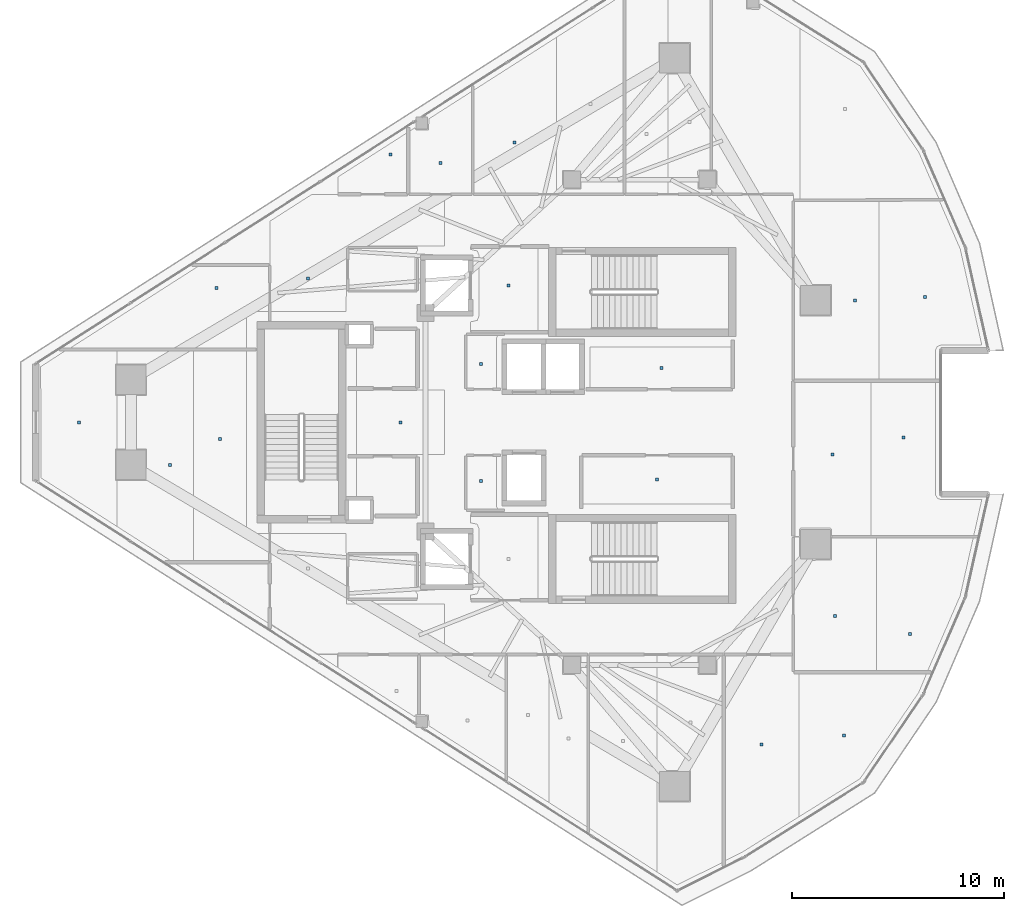
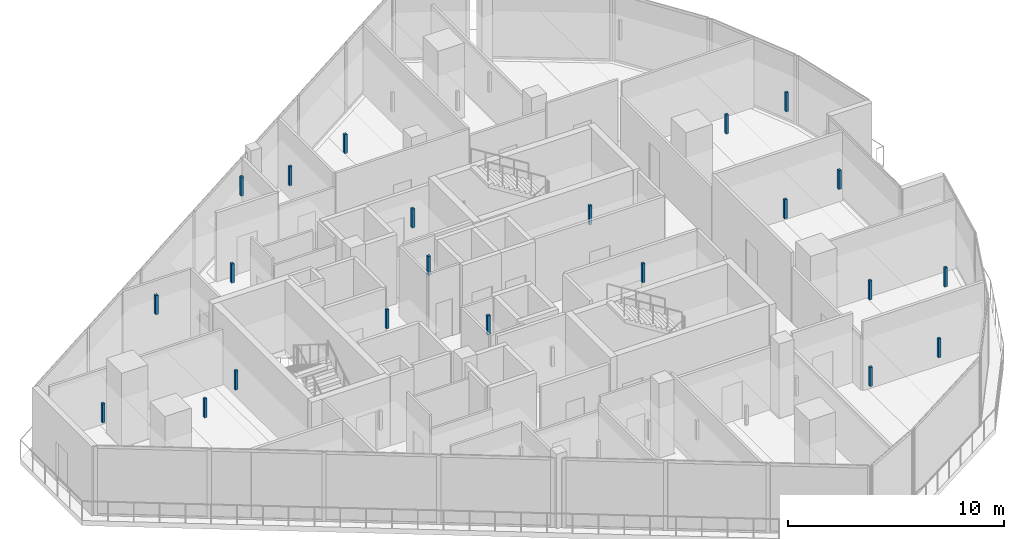
# One storey, part 19 of 25: 22 discrete accessories.
"""IFC4 building model written with IfcOpenShell, lengths in metres."""

from ifc_helpers import new_model, si_unit, direction, frame, origin, origin_2d, place, context, subcontext, project, spatial, rectangle, extrude, material, type_object, element, save


model = new_model("IFC4")

# Units and contexts
model_context = context("Model", 3, precision=1e-05, world=origin(), true_north=direction((0.0, 1.0)))
body_context = subcontext(model_context, "Body", "Model", "MODEL_VIEW")
ifc_project = project(units=[si_unit("LENGTHUNIT", "METRE"), si_unit("AREAUNIT", "SQUARE_METRE"), si_unit("VOLUMEUNIT", "CUBIC_METRE"), si_unit("PLANEANGLEUNIT", "RADIAN"), si_unit("MASSUNIT", "GRAM", prefix="KILO")], contexts=[model_context])

# Site, building, storey
site_placement = place(None, origin())
site = spatial("IfcSite", under=ifc_project, at=site_placement, CompositionType="ELEMENT")
building_placement = place(site_placement, origin())
building = spatial("IfcBuilding", under=site, at=building_placement, Name="Qorvath Tower", CompositionType="ELEMENT")
storey_placement = place(building_placement, frame((0.0, 0.0, 306.0)))
storey = spatial("IfcBuildingStorey", under=building, at=storey_placement, Name="L71", CompositionType="ELEMENT", Elevation=306.0)

# Discrete accessories
ifc_material = material(Name="Galvanised steel bracket", Category="steel")
discrete_accessory_type = type_object("IfcDiscreteAccessoryType", Name="DA-BRACKET", PredefinedType="BRACKET", material=ifc_material)
for number, where, z_axis, x_axis, name in (
    (1, (-26.590087890625, 6.449951171875, 2.85986328125), (0.0, 0.0, 1.0), (1.0, 0.0, 0.0), "Acoustic Ceiling Suspension Hanger T1-L71-001"),
    (2, (-19.37255859375, 2.5625, 2.85986328125), (0.0, 0.0, 1.0), (1.0, 0.0, 0.0), "Acoustic Ceiling Suspension Hanger T1-L71-003"),
    (3, (-19.574951171875, -2.70751953125, 2.85986328125), (0.0, 0.0, 1.0), (1.0, 0.0, 0.0), "Acoustic Ceiling Suspension Hanger T1-L71-004"),
    (4, (-27.87744140625, 2.762451171875, 2.85986328125), (0.0, 0.0, 1.0), (1.0, 0.0, 0.0), "Acoustic Ceiling Suspension Hanger T1-L71-005"),
    (5, (-27.87744140625, -2.762451171875, 2.85986328125), (0.0, 0.0, 1.0), (1.0, 0.0, 0.0), "Acoustic Ceiling Suspension Hanger T1-L71-006"),
    (6, (-36.040283203125, 6.782470703125, 2.85986328125), (0.0, 0.0, 1.0), (1.0, 0.0, 0.0), "Acoustic Ceiling Suspension Hanger T1-L71-012"),
    (7, (-31.6875, 0.0, 2.85986328125), (0.0, 0.0, 1.0), (1.0, 0.0, 0.0), "Acoustic Ceiling Suspension Hanger T1-L71-013"),
    (8, (-32.158203125, 12.631591796875, 2.85986328125), (0.0, 0.0, 1.0), (1.0, 0.0, 0.0), "Acoustic Ceiling Suspension Hanger T1-L71-014"),
    (9, (-29.79736328125, 12.23291015625, 2.85986328125), (0.0, 0.0, 1.0), (1.0, 0.0, 0.0), "Acoustic Ceiling Suspension Hanger T1-L71-015"),
    (10, (-26.294921875, 13.206298828125, 2.85986328125), (0.0, 0.0, 1.0), (1.0, 0.0, 0.0), "Acoustic Ceiling Suspension Hanger T1-L71-016"),
    (11, (-14.6494140625, -15.2041015625, 2.85986328125), (0.0, 0.0, 1.0), (1.0, 0.0, 0.0), "Acoustic Ceiling Suspension Hanger T1-L71-028"),
    (12, (-10.744140625, -14.780517578125, 2.85986328125), (0.0, 0.0, 1.0), (1.0, 0.0, 0.0), "Acoustic Ceiling Suspension Hanger T1-L71-029"),
    (13, (-11.1826171875, -9.146484375, 2.85986328125), (0.0, 0.0, 1.0), (1.0, 0.0, 0.0), "Acoustic Ceiling Suspension Hanger T1-L71-030"),
    (14, (-7.639404296875, -9.982666015625, 2.85986328125), (0.0, 0.0, 1.0), (1.0, 0.0, 0.0), "Acoustic Ceiling Suspension Hanger T1-L71-031"),
    (15, (-11.303955078125, -1.519287109375, 2.85986328125), (0.0, 0.0, 1.0), (1.0, 0.0, 0.0), "Acoustic Ceiling Suspension Hanger T1-L71-032"),
    (16, (-7.95654296875, -0.7255859375, 2.85986328125), (0.0, 0.0, 1.0), (1.0, 0.0, 0.0), "Acoustic Ceiling Suspension Hanger T1-L71-033"),
    (17, (-10.2333984375, 5.7578125, 2.85986328125), (0.0, 0.0, 1.0), (1.0, 0.0, 0.0), "Acoustic Ceiling Suspension Hanger T1-L71-034"),
    (18, (-6.9365234375, 5.91357421875, 2.85986328125), (0.0, 0.0, 1.0), (1.0, 0.0, 0.0), "Acoustic Ceiling Suspension Hanger T1-L71-035"),
    (19, (-46.859619140625, 0.0, 2.85986328125), (0.0, 0.0, 1.0), (1.0, 0.0, 0.0), "Acoustic Ceiling Suspension Hanger T1-L71-037"),
    (20, (-42.561767578125, -2.007568359375, 2.85986328125), (0.0, 0.0, 1.0), (1.0, 0.0, 0.0), "Acoustic Ceiling Suspension Hanger T1-L71-038"),
    (21, (-40.206787109375, -0.7783203125, 2.85986328125), (0.0, 0.0, 1.0), (1.0, 0.0, 0.0), "Acoustic Ceiling Suspension Hanger T1-L71-039"),
    (22, (-40.356201171875, 6.328369140625, 2.85986328125), (0.0, 0.0, 1.0), (1.0, 0.0, 0.0), "Acoustic Ceiling Suspension Hanger T1-L71-040"),
):
    element("IfcDiscreteAccessory", number, at=place(storey_placement, frame(where, z_axis=z_axis, x_axis=x_axis)), inside=storey, type_object=discrete_accessory_type, Name=name, PredefinedType="NOTDEFINED", context=body_context, shape_type="SweptSolid", body=[
        extrude(rectangle(XDim=0.139892578125, YDim=0.139892578125, at=origin_2d()), origin(), (0.0, 0.0, 1.0), 1.079833984375),
    ])

save(model, "model.ifc")
